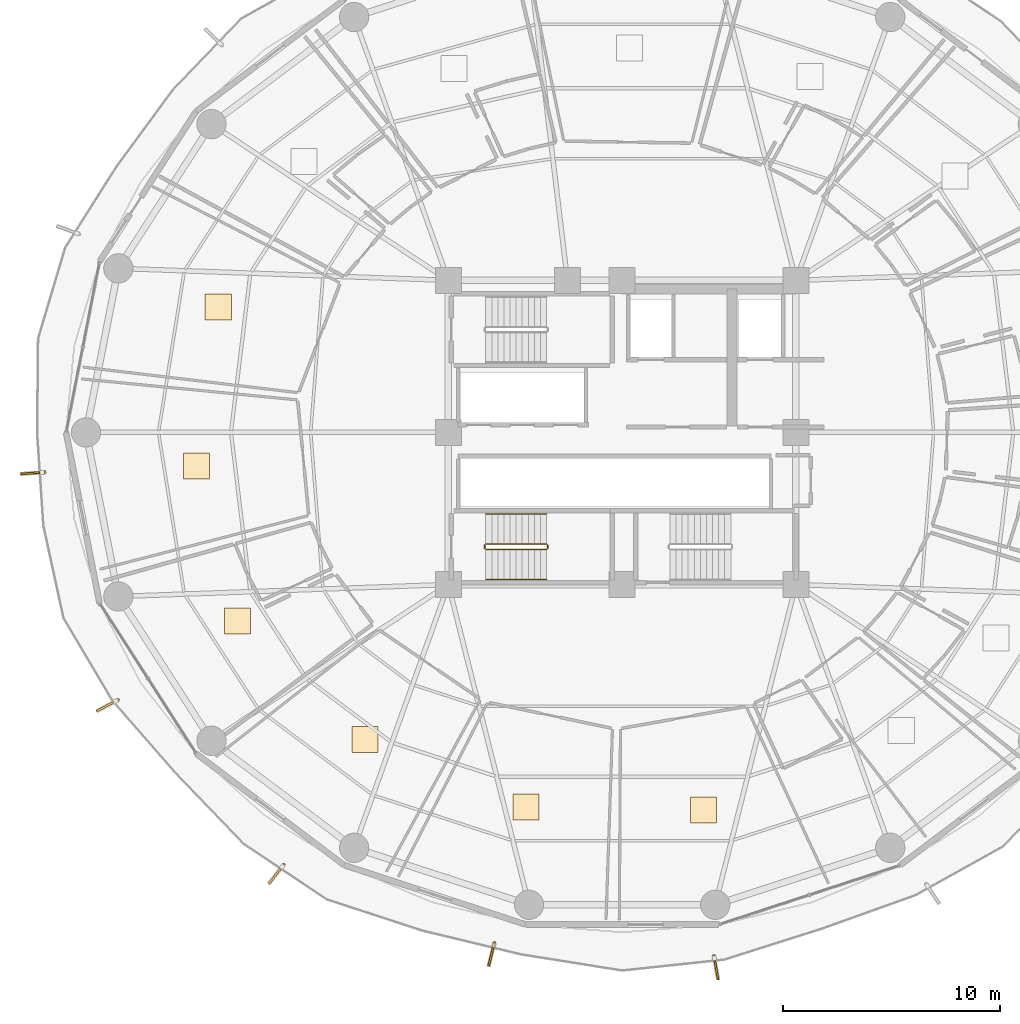
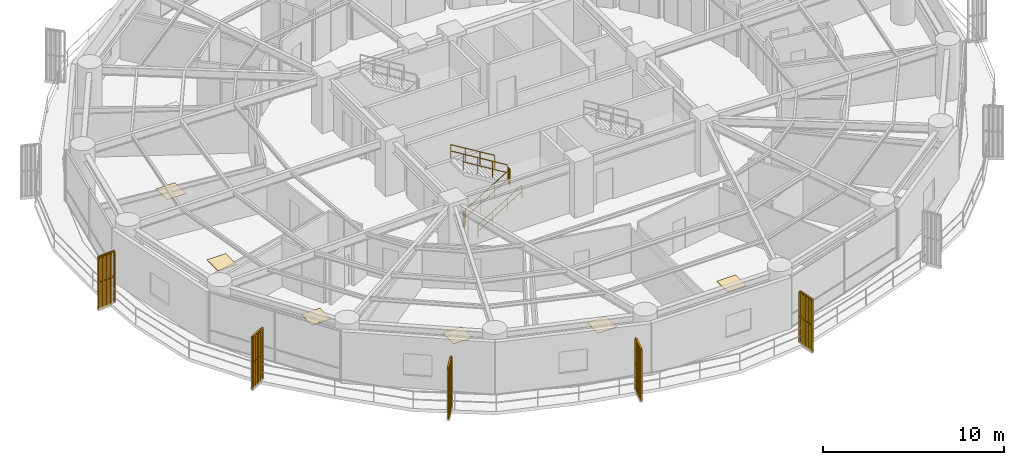
# One storey, part 33 of 36: 11 railings, 6 coverings, 5 shading devices.
"""IFC4 building model written with IfcOpenShell, lengths in metres."""

import ifcopenshell
import ifcopenshell.guid

model = None  # the IFC model being written
_history = None  # IfcOwnerHistory: only IFC2X3 demands one
_inside = {}  # id of a spatial element -> (the spatial element, [elements in it])
_under = {}  # id of a project, library or spatial element -> (it, [spatial elements below it])
_declared = {}  # id of a project -> (the project, [libraries it declares])
_typed = {}  # id of a type object -> (the type object, [elements of that type])
_made_of = {}  # id of a material, layer set ... -> (it, [elements and type objects made of it])


def new_model(schema):
    """Start an empty IFC model of exactly this schema.

    Asked for "IFC4X3", IfcOpenShell would pick the latest addendum, in which some entities
    have other attributes; the version numbers below select the first issue.
    IFC2X3 requires an IfcOwnerHistory on every rooted entity: one is made here for all.
    """
    global model, _history
    if schema == "IFC4X3":
        model = ifcopenshell.file(schema_version=(4, 3, 0, 0))
    else:
        model = ifcopenshell.file(schema=schema)
    _inside.clear()
    _under.clear()
    _declared.clear()
    _typed.clear()
    _made_of.clear()
    _history = None
    if model.schema == "IFC2X3":
        org = make("IfcOrganization", Name="unknown")
        user = make(
            "IfcPersonAndOrganization",
            ThePerson=make("IfcPerson", FamilyName="unknown"),
            TheOrganization=org,
        )
        app = make(
            "IfcApplication",
            ApplicationDeveloper=org,
            Version="unknown",
            ApplicationFullName="unknown",
            ApplicationIdentifier="unknown",
        )
        _history = make(
            "IfcOwnerHistory",
            OwningUser=user,
            OwningApplication=app,
            ChangeAction="ADDED",
            CreationDate=0,
        )
    return model


def make(cls, **values):
    """One entity of the class cls with the attributes given. An attribute that is None is left unset."""
    return model.create_entity(
        cls, **{name: value for name, value in values.items() if value is not None}
    )


def rooted(cls, **values):
    """An entity with a GlobalId (a new one), such as an element, a storey or a relation."""
    return make(cls, GlobalId=ifcopenshell.guid.new(), OwnerHistory=_history, **values)


def si_unit(unit_type, name, prefix=None):
    """IfcSIUnit, for example si_unit("LENGTHUNIT", "METRE", prefix="MILLI")."""
    return make("IfcSIUnit", UnitType=unit_type, Prefix=prefix, Name=name)


def assignment(units):
    """IfcUnitAssignment: the units of a project."""
    return None if units is None else make("IfcUnitAssignment", Units=units)


def point(xyz):
    """IfcCartesianPoint."""
    return None if xyz is None else make("IfcCartesianPoint", Coordinates=xyz)


def direction(xyz):
    """IfcDirection."""
    return None if xyz is None else make("IfcDirection", DirectionRatios=xyz)


def frame(location, z_axis=None, x_axis=None):
    """IfcAxis2Placement3D, a coordinate frame: its origin and axes. An axis left out is left unset."""
    return make(
        "IfcAxis2Placement3D",
        Location=point(location),
        Axis=direction(z_axis),
        RefDirection=direction(x_axis),
    )


def frame_2d(location, x_axis=None):
    """IfcAxis2Placement2D, a coordinate frame in the plane: its origin and x axis."""
    return make(
        "IfcAxis2Placement2D", Location=point(location), RefDirection=direction(x_axis)
    )


def origin():
    """The frame at (0, 0, 0) with its axes left unset."""
    return frame((0.0, 0.0, 0.0))


def origin_2d():
    """The frame at (0, 0) in the plane with its x axis left unset."""
    return frame_2d((0.0, 0.0))


def place(relative_to, where):
    """IfcLocalPlacement: puts the frame where relative to a parent placement (None: the world)."""
    return make(
        "IfcLocalPlacement", PlacementRelTo=relative_to, RelativePlacement=where
    )


def context(
    kind, dimensions, precision=None, world=None, true_north=None, identifier=None
):
    """IfcGeometricRepresentationContext, for example the 3D "Model" context."""
    return make(
        "IfcGeometricRepresentationContext",
        ContextIdentifier=identifier,
        ContextType=kind,
        CoordinateSpaceDimension=dimensions,
        Precision=precision,
        WorldCoordinateSystem=world,
        TrueNorth=true_north,
    )


def subcontext(parent, identifier, kind, view, scale=None):
    """IfcGeometricRepresentationSubContext, for example "Body" below "Model"."""
    return make(
        "IfcGeometricRepresentationSubContext",
        ContextIdentifier=identifier,
        ContextType=kind,
        ParentContext=parent,
        TargetScale=scale,
        TargetView=view,
    )


def project(units=None, contexts=None):
    """IfcProject with its units and contexts."""
    return rooted(
        "IfcProject",
        Name="project",
        RepresentationContexts=contexts,
        UnitsInContext=assignment(units),
    )


def spatial(cls, under=None, at=None, **own):
    """A site, building, storey or space (cls), placed at a placement, below another one or the project."""
    s = rooted(cls, ObjectPlacement=at, **own)
    if under is not None:
        _under.setdefault(under.id(), (under, []))[1].append(s)
    return s


def polyline(points):
    """IfcPolyline through the points."""
    return make("IfcPolyline", Points=[point(p) for p in points])


def profile(cls, at=None, kind="AREA", **sizes):
    """A parametric profile (cls). Its sizes go by their IFC names, for example OverallWidth=200.0."""
    return make(cls, ProfileType=kind, Position=at, **sizes)


def rectangle(**sizes):
    """IfcRectangleProfileDef."""
    return profile("IfcRectangleProfileDef", **sizes)


def outline(outer, holes=None, kind="AREA"):
    """IfcArbitraryClosedProfileDef: a profile drawn as a closed curve; with holes, ...WithVoids."""
    if holes is None:
        return make("IfcArbitraryClosedProfileDef", ProfileType=kind, OuterCurve=outer)
    return make(
        "IfcArbitraryProfileDefWithVoids",
        ProfileType=kind,
        OuterCurve=outer,
        InnerCurves=holes,
    )


def extrude(swept, where, along, depth):
    """IfcExtrudedAreaSolid: the profile swept, set in the frame where, extruded along a direction by depth."""
    return make(
        "IfcExtrudedAreaSolid",
        SweptArea=swept,
        Position=where,
        ExtrudedDirection=direction(along),
        Depth=depth,
    )


def shape(context_of_items, identifier, shape_type, items):
    """IfcShapeRepresentation: the items that make up one representation, for example the "Body"."""
    return make(
        "IfcShapeRepresentation",
        ContextOfItems=context_of_items,
        RepresentationIdentifier=identifier,
        RepresentationType=shape_type,
        Items=items,
    )


def source(mapping_origin, context_of_items, identifier, shape_type, items):
    """IfcRepresentationMap: a shape defined once, which mapped items show again and again."""
    return make(
        "IfcRepresentationMap",
        MappingOrigin=mapping_origin,
        MappedRepresentation=shape(context_of_items, identifier, shape_type, items),
    )


def transform(
    local_origin,
    x_axis=None,
    y_axis=None,
    z_axis=None,
    scale=None,
    scale2=None,
    scale3=None,
    uniform=True,
):
    """IfcCartesianTransformationOperator3D, or its non-uniform kind. x_axis, y_axis, z_axis: its Axis1, 2, 3."""
    if uniform:
        return make(
            "IfcCartesianTransformationOperator3D",
            Axis1=direction(x_axis),
            Axis2=direction(y_axis),
            LocalOrigin=point(local_origin),
            Scale=scale,
            Axis3=direction(z_axis),
        )
    return make(
        "IfcCartesianTransformationOperator3DnonUniform",
        Axis1=direction(x_axis),
        Axis2=direction(y_axis),
        LocalOrigin=point(local_origin),
        Scale=scale,
        Axis3=direction(z_axis),
        Scale2=scale2,
        Scale3=scale3,
    )


def mapped(mapping_source, mapping_target):
    """IfcMappedItem: shows the shape of a source again, moved by a transform."""
    return make(
        "IfcMappedItem", MappingSource=mapping_source, MappingTarget=mapping_target
    )


def material(Name=None, Category=None):
    """IfcMaterial."""
    return make("IfcMaterial", Name=Name, Category=Category)


def layer(
    of_material, thickness, ventilated=None, Name=None, Category=None, Priority=None
):
    """IfcMaterialLayer: one layer of a wall or slab, of a material (None: an air gap)."""
    return make(
        "IfcMaterialLayer",
        Material=of_material,
        LayerThickness=thickness,
        IsVentilated=ventilated,
        Name=Name,
        Category=Category,
        Priority=Priority,
    )


def layer_set(layers, Name=None):
    """IfcMaterialLayerSet."""
    return make("IfcMaterialLayerSet", MaterialLayers=layers, LayerSetName=Name)


def made_of(thing, what):
    """Note that an element or type object is made of a material, layer set ...; save() writes the relation."""
    if what is not None:
        _made_of.setdefault(what.id(), (what, []))[1].append(thing)
    return thing


def type_object(cls, material=None, **own):
    """A type object (cls), such as IfcWallType, which elements share."""
    return made_of(rooted(cls, **own), material)


def element(
    cls,
    number,
    at=None,
    inside=None,
    cuts=None,
    type_object=None,
    material=None,
    context=None,
    identifier="Body",
    shape_type=None,
    held_by="IfcProductDefinitionShape",
    body=None,
    shapes=None,
    **own,
):
    """One element of the class cls, such as IfcWall. Its Tag is "e" and its number.

    at: its placement. inside: the storey or other place that contains it. cuts: it is an
    opening in that element (IfcRelVoidsElement). A single representation is given by context,
    identifier, shape_type and body (its items); several are given by shapes. held_by: the class
    of the entity that holds the representations. save() writes the other relations.
    """
    e = rooted(cls, Tag="e%d" % number, ObjectPlacement=at, **own)
    if body is not None:
        shapes = [shape(context, identifier, shape_type, body)]
    if shapes is not None:
        e.Representation = make(held_by, Representations=shapes)
    if inside is not None:
        _inside.setdefault(inside.id(), (inside, []))[1].append(e)
    if cuts is not None:
        rooted(
            "IfcRelVoidsElement", RelatingBuildingElement=cuts, RelatedOpeningElement=e
        )
    if type_object is not None:
        _typed.setdefault(type_object.id(), (type_object, []))[1].append(e)
    return made_of(e, material)


def aggregate(whole, parts):
    """IfcRelAggregates: a whole, such as a stair, and the parts it consists of."""
    return rooted("IfcRelAggregates", RelatingObject=whole, RelatedObjects=parts)


def save(model, path):
    """Write the relations noted so far, then the file.

    IfcRelAggregates (storeys below a building ...), IfcRelContainedInSpatialStructure (elements
    in a storey), IfcRelDefinesByType, IfcRelAssociatesMaterial and IfcRelDeclares: one each for
    every whole, place, type object, material and project.
    """
    for whole, parts in _under.values():
        aggregate(whole, parts)
    for where, things in _inside.values():
        rooted(
            "IfcRelContainedInSpatialStructure",
            RelatedElements=things,
            RelatingStructure=where,
        )
    for kind, things in _typed.values():
        rooted("IfcRelDefinesByType", RelatedObjects=things, RelatingType=kind)
    for what, things in _made_of.values():
        rooted("IfcRelAssociatesMaterial", RelatedObjects=things, RelatingMaterial=what)
    for by, libraries in _declared.values():
        rooted("IfcRelDeclares", RelatingContext=by, RelatedDefinitions=libraries)
    model.write(path)


model = new_model("IFC4")

# Units and contexts
model_context = context("Model", 3, precision=1e-05, world=origin(), true_north=direction((0.0, 1.0)))
body_context = subcontext(model_context, "Body", "Model", "MODEL_VIEW")
ifc_project = project(units=[si_unit("LENGTHUNIT", "METRE"), si_unit("AREAUNIT", "SQUARE_METRE"), si_unit("VOLUMEUNIT", "CUBIC_METRE"), si_unit("PLANEANGLEUNIT", "RADIAN"), si_unit("MASSUNIT", "GRAM", prefix="KILO")], contexts=[model_context])

# Site, building, storey
site_placement = place(None, origin())
site = spatial("IfcSite", under=ifc_project, at=site_placement, CompositionType="ELEMENT")
building_placement = place(site_placement, origin())
building = spatial("IfcBuilding", under=site, at=building_placement, Name="Kelanora Arch Commons", CompositionType="ELEMENT")
storey_placement = place(building_placement, frame((0.0, 0.0, 102.60009765625)))
storey = spatial("IfcBuildingStorey", under=building, at=storey_placement, Name="L26", CompositionType="ELEMENT", Elevation=102.60009765625)

# Railings
ifc_material_1 = material(Name="Anodised bronze vertical shading fin rib assembly")
railing_type_1 = type_object("IfcRailingType", Name="RAIL-FIN-BRZ", PredefinedType="BALUSTRADE", material=ifc_material_1)
railing_1_placement = place(storey_placement, frame((47.4111328125, 56.166748046875, -0.02001953125)))
element("IfcRailing", 1, at=railing_1_placement, inside=storey, type_object=railing_type_1, Name="Sweeping Bronze Vertical Fin Blade L26-06", PredefinedType="BALUSTRADE", context=body_context, shape_type="SweptSolid", body=[
    extrude(outline(polyline([(0.06982421875, 0.0), (0.034912109375, 0.060546875), (-0.034912109375, 0.060546875), (-0.06982421875, 0.0), (-0.034912109375, -0.060546875), (0.034912109375, -0.060546875), (0.06982421875, 0.0)])), frame((0.0, 0.0, 3.419921875), z_axis=(-0.997642385629, -0.068627038379, 0.0), x_axis=(0.068627038379, -0.997642385629, 0.0)), (0.0, 0.0, 1.0), 1.052978515625),
    extrude(outline(polyline([(0.06982421875, 0.0), (0.034912109375, 0.060546875), (-0.034912109375, 0.060546875), (-0.06982421875, 0.0), (-0.034912109375, -0.060546875), (0.034912109375, -0.060546875), (0.06982421875, 0.0)])), frame((0.0, 0.0, 1.7451171875), z_axis=(-0.997642385629, -0.068627038379, 0.0), x_axis=(0.068627038379, -0.997642385629, 0.0)), (0.0, 0.0, 1.0), 1.052978515625),
    extrude(outline(polyline([(0.080078125, 0.0), (0.0400390625, 0.0693359375), (-0.0400390625, 0.0693359375), (-0.080078125, 0.0), (-0.0400390625, -0.0693359375), (0.0400390625, -0.0693359375), (0.080078125, 0.0)])), origin(), (0.0, 0.0, 1.0), 3.35009765625),
    extrude(outline(polyline([(0.080078125, 0.0), (0.0400390625, 0.0693359375), (-0.0400390625, 0.0693359375), (-0.080078125, 0.0), (-0.0400390625, -0.0693359375), (0.0400390625, -0.0693359375), (0.080078125, 0.0)])), frame((-0.2626953125, -0.01806640625, 0.0)), (0.0, 0.0, 1.0), 3.35009765625),
    extrude(outline(polyline([(0.080078125, 0.0), (0.0400390625, 0.0693359375), (-0.0400390625, 0.0693359375), (-0.080078125, 0.0), (-0.0400390625, -0.0693359375), (0.0400390625, -0.0693359375), (0.080078125, 0.0)])), frame((-0.525390625, -0.0361328125, 0.0)), (0.0, 0.0, 1.0), 3.35009765625),
    extrude(outline(polyline([(0.080078125, 0.0), (0.0400390625, 0.0693359375), (-0.0400390625, 0.0693359375), (-0.080078125, 0.0), (-0.0400390625, -0.0693359375), (0.0400390625, -0.0693359375), (0.080078125, 0.0)])), frame((-0.787841796875, -0.05419921875, 0.0)), (0.0, 0.0, 1.0), 3.35009765625),
    extrude(outline(polyline([(0.080078125, 0.0), (0.0400390625, 0.0693359375), (-0.0400390625, 0.0693359375), (-0.080078125, 0.0), (-0.0400390625, -0.0693359375), (0.0400390625, -0.0693359375), (0.080078125, 0.0)])), frame((-1.050537109375, -0.072265625, 0.0)), (0.0, 0.0, 1.0), 3.35009765625),
])
railing_2_placement = place(storey_placement, frame((50.788818359375, 45.6875, -0.02001953125)))
element("IfcRailing", 2, at=railing_2_placement, inside=storey, type_object=railing_type_1, Name="Sweeping Bronze Vertical Fin Blade L26-07", PredefinedType="BALUSTRADE", context=body_context, shape_type="SweptSolid", body=[
    extrude(outline(polyline([(0.06982421875, 0.0), (0.034912109375, 0.060546875), (-0.034912109375, 0.060546875), (-0.06982421875, 0.0), (-0.034912109375, -0.060546875), (0.034912109375, -0.060546875), (0.06982421875, 0.0)])), frame((0.0, 0.0, 3.419921875), z_axis=(-0.883364689044, -0.468686276895, 0.0), x_axis=(0.468686276895, -0.883364689044, 0.0)), (0.0, 0.0, 1.0), 1.05322265625),
    extrude(outline(polyline([(0.06982421875, 0.0), (0.034912109375, 0.060546875), (-0.034912109375, 0.060546875), (-0.06982421875, 0.0), (-0.034912109375, -0.060546875), (0.034912109375, -0.060546875), (0.06982421875, 0.0)])), frame((0.0, 0.0, 1.7451171875), z_axis=(-0.883364689044, -0.468686276895, 0.0), x_axis=(0.468686276895, -0.883364689044, 0.0)), (0.0, 0.0, 1.0), 1.05322265625),
    extrude(outline(polyline([(0.080078125, 0.0), (0.0400390625, 0.0693359375), (-0.0400390625, 0.0693359375), (-0.080078125, 0.0), (-0.0400390625, -0.0693359375), (0.0400390625, -0.0693359375), (0.080078125, 0.0)])), origin(), (0.0, 0.0, 1.0), 3.35009765625),
    extrude(outline(polyline([(0.080078125, 0.0), (0.0400390625, 0.0693359375), (-0.0400390625, 0.0693359375), (-0.080078125, 0.0), (-0.0400390625, -0.0693359375), (0.0400390625, -0.0693359375), (0.080078125, 0.0)])), frame((-0.232666015625, -0.12353515625, 0.0)), (0.0, 0.0, 1.0), 3.35009765625),
    extrude(outline(polyline([(0.080078125, 0.0), (0.0400390625, 0.0693359375), (-0.0400390625, 0.0693359375), (-0.080078125, 0.0), (-0.0400390625, -0.0693359375), (0.0400390625, -0.0693359375), (0.080078125, 0.0)])), frame((-0.46533203125, -0.246826171875, 0.0)), (0.0, 0.0, 1.0), 3.35009765625),
    extrude(outline(polyline([(0.080078125, 0.0), (0.0400390625, 0.0693359375), (-0.0400390625, 0.0693359375), (-0.080078125, 0.0), (-0.0400390625, -0.0693359375), (0.0400390625, -0.0693359375), (0.080078125, 0.0)])), frame((-0.69775390625, -0.3701171875, 0.0)), (0.0, 0.0, 1.0), 3.35009765625),
    extrude(outline(polyline([(0.080078125, 0.0), (0.0400390625, 0.0693359375), (-0.0400390625, 0.0693359375), (-0.080078125, 0.0), (-0.0400390625, -0.0693359375), (0.0400390625, -0.0693359375), (0.080078125, 0.0)])), frame((-0.930419921875, -0.49365234375, 0.0)), (0.0, 0.0, 1.0), 3.35009765625),
])
railing_3_placement = place(storey_placement, frame((58.41845703125, 38.0966796875, -0.02001953125)))
element("IfcRailing", 3, at=railing_3_placement, inside=storey, type_object=railing_type_1, Name="Sweeping Bronze Vertical Fin Blade L26-08", PredefinedType="BALUSTRADE", context=body_context, shape_type="SweptSolid", body=[
    extrude(outline(polyline([(0.06982421875, 0.0), (0.034912109375, 0.060546875), (-0.034912109375, 0.060546875), (-0.06982421875, 0.0), (-0.034912109375, -0.060546875), (0.034912109375, -0.060546875), (0.06982421875, 0.0)])), frame((0.0, 0.0, 3.419921875), z_axis=(-0.616489539638, -0.787363097635, 0.0), x_axis=(0.787363097635, -0.616489539638, 0.0)), (0.0, 0.0, 1.0), 1.052978515625),
    extrude(outline(polyline([(0.06982421875, 0.0), (0.034912109375, 0.060546875), (-0.034912109375, 0.060546875), (-0.06982421875, 0.0), (-0.034912109375, -0.060546875), (0.034912109375, -0.060546875), (0.06982421875, 0.0)])), frame((0.0, 0.0, 1.7451171875), z_axis=(-0.616489539638, -0.787363097635, 0.0), x_axis=(0.787363097635, -0.616489539638, 0.0)), (0.0, 0.0, 1.0), 1.052978515625),
    extrude(outline(polyline([(0.080078125, 0.0), (0.0400390625, 0.0693359375), (-0.0400390625, 0.0693359375), (-0.080078125, 0.0), (-0.0400390625, -0.0693359375), (0.0400390625, -0.0693359375), (0.080078125, 0.0)])), origin(), (0.0, 0.0, 1.0), 3.35009765625),
    extrude(outline(polyline([(0.080078125, 0.0), (0.0400390625, 0.0693359375), (-0.0400390625, 0.0693359375), (-0.080078125, 0.0), (-0.0400390625, -0.0693359375), (0.0400390625, -0.0693359375), (0.080078125, 0.0)])), frame((-0.162353515625, -0.207275390625, 0.0)), (0.0, 0.0, 1.0), 3.35009765625),
    extrude(outline(polyline([(0.080078125, 0.0), (0.0400390625, 0.0693359375), (-0.0400390625, 0.0693359375), (-0.080078125, 0.0), (-0.0400390625, -0.0693359375), (0.0400390625, -0.0693359375), (0.080078125, 0.0)])), frame((-0.32470703125, -0.41455078125, 0.0)), (0.0, 0.0, 1.0), 3.35009765625),
    extrude(outline(polyline([(0.080078125, 0.0), (0.0400390625, 0.0693359375), (-0.0400390625, 0.0693359375), (-0.080078125, 0.0), (-0.0400390625, -0.0693359375), (0.0400390625, -0.0693359375), (0.080078125, 0.0)])), frame((-0.48681640625, -0.621826171875, 0.0)), (0.0, 0.0, 1.0), 3.35009765625),
    extrude(outline(polyline([(0.080078125, 0.0), (0.0400390625, 0.0693359375), (-0.0400390625, 0.0693359375), (-0.080078125, 0.0), (-0.0400390625, -0.0693359375), (0.0400390625, -0.0693359375), (0.080078125, 0.0)])), frame((-0.649169921875, -0.8291015625, 0.0)), (0.0, 0.0, 1.0), 3.35009765625),
])
railing_4_placement = place(storey_placement, frame((68.1162109375, 34.499267578125, -0.02001953125)))
element("IfcRailing", 4, at=railing_4_placement, inside=storey, type_object=railing_type_1, Name="Sweeping Bronze Vertical Fin Blade L26-09", PredefinedType="BALUSTRADE", context=body_context, shape_type="SweptSolid", body=[
    extrude(outline(polyline([(0.06982421875, 0.0), (0.034912109375, 0.060546875), (-0.034912109375, 0.060546875), (-0.06982421875, 0.0), (-0.034912109375, -0.060546875), (0.034912109375, -0.060546875), (0.06982421875, 0.0)])), frame((0.0, 0.0, 3.419921875), z_axis=(-0.242972011834, -0.970033299153, 0.0), x_axis=(0.970033299153, -0.242972011834, 0.0)), (0.0, 0.0, 1.0), 1.052978515625),
    extrude(outline(polyline([(0.06982421875, 0.0), (0.034912109375, 0.060546875), (-0.034912109375, 0.060546875), (-0.06982421875, 0.0), (-0.034912109375, -0.060546875), (0.034912109375, -0.060546875), (0.06982421875, 0.0)])), frame((0.0, 0.0, 1.7451171875), z_axis=(-0.242972011834, -0.970033299153, 0.0), x_axis=(0.970033299153, -0.242972011834, 0.0)), (0.0, 0.0, 1.0), 1.052978515625),
    extrude(outline(polyline([(0.080078125, 0.0), (0.0400390625, 0.0693359375), (-0.0400390625, 0.0693359375), (-0.080078125, 0.0), (-0.0400390625, -0.0693359375), (0.0400390625, -0.0693359375), (0.080078125, 0.0)])), origin(), (0.0, 0.0, 1.0), 3.35009765625),
    extrude(outline(polyline([(0.080078125, 0.0), (0.0400390625, 0.0693359375), (-0.0400390625, 0.0693359375), (-0.080078125, 0.0), (-0.0400390625, -0.0693359375), (0.0400390625, -0.0693359375), (0.080078125, 0.0)])), frame((-0.06396484375, -0.25537109375, 0.0)), (0.0, 0.0, 1.0), 3.35009765625),
    extrude(outline(polyline([(0.080078125, 0.0), (0.0400390625, 0.0693359375), (-0.0400390625, 0.0693359375), (-0.080078125, 0.0), (-0.0400390625, -0.0693359375), (0.0400390625, -0.0693359375), (0.080078125, 0.0)])), frame((-0.1279296875, -0.5107421875, 0.0)), (0.0, 0.0, 1.0), 3.35009765625),
    extrude(outline(polyline([(0.080078125, 0.0), (0.0400390625, 0.0693359375), (-0.0400390625, 0.0693359375), (-0.080078125, 0.0), (-0.0400390625, -0.0693359375), (0.0400390625, -0.0693359375), (0.080078125, 0.0)])), frame((-0.19189453125, -0.76611328125, 0.0)), (0.0, 0.0, 1.0), 3.35009765625),
    extrude(outline(polyline([(0.080078125, 0.0), (0.0400390625, 0.0693359375), (-0.0400390625, 0.0693359375), (-0.080078125, 0.0), (-0.0400390625, -0.0693359375), (0.0400390625, -0.0693359375), (0.080078125, 0.0)])), frame((-0.255859375, -1.021484375, 0.0)), (0.0, 0.0, 1.0), 3.35009765625),
])
railing_5_placement = place(storey_placement, frame((78.22412109375, 33.905517578125, -0.02001953125)))
element("IfcRailing", 5, at=railing_5_placement, inside=storey, type_object=railing_type_1, Name="Sweeping Bronze Vertical Fin Blade L26-10", PredefinedType="BALUSTRADE", context=body_context, shape_type="SweptSolid", body=[
    extrude(outline(polyline([(0.06982421875, 0.0), (0.034912109375, 0.060546875), (-0.034912109375, 0.060546875), (-0.06982421875, 0.0), (-0.034912109375, -0.060546875), (0.034912109375, -0.060546875), (0.06982421875, 0.0)])), frame((0.0, 0.0, 3.419921875), z_axis=(0.172700840587, -0.984974324366, 0.0), x_axis=(0.984974324366, 0.172700840587, 0.0)), (0.0, 0.0, 1.0), 1.05322265625),
    extrude(outline(polyline([(0.06982421875, 0.0), (0.034912109375, 0.060546875), (-0.034912109375, 0.060546875), (-0.06982421875, 0.0), (-0.034912109375, -0.060546875), (0.034912109375, -0.060546875), (0.06982421875, 0.0)])), frame((0.0, 0.0, 1.7451171875), z_axis=(0.172700840587, -0.984974324366, 0.0), x_axis=(0.984974324366, 0.172700840587, 0.0)), (0.0, 0.0, 1.0), 1.05322265625),
    extrude(outline(polyline([(0.080078125, 0.0), (0.0400390625, 0.0693359375), (-0.0400390625, 0.0693359375), (-0.080078125, 0.0), (-0.0400390625, -0.0693359375), (0.0400390625, -0.0693359375), (0.080078125, 0.0)])), origin(), (0.0, 0.0, 1.0), 3.35009765625),
    extrude(outline(polyline([(0.080078125, 0.0), (0.0400390625, 0.0693359375), (-0.0400390625, 0.0693359375), (-0.080078125, 0.0), (-0.0400390625, -0.0693359375), (0.0400390625, -0.0693359375), (0.080078125, 0.0)])), frame((0.04541015625, -0.25927734375, 0.0)), (0.0, 0.0, 1.0), 3.35009765625),
    extrude(outline(polyline([(0.080078125, 0.0), (0.0400390625, 0.0693359375), (-0.0400390625, 0.0693359375), (-0.080078125, 0.0), (-0.0400390625, -0.0693359375), (0.0400390625, -0.0693359375), (0.080078125, 0.0)])), frame((0.0908203125, -0.5185546875, 0.0)), (0.0, 0.0, 1.0), 3.35009765625),
    extrude(outline(polyline([(0.080078125, 0.0), (0.0400390625, 0.0693359375), (-0.0400390625, 0.0693359375), (-0.080078125, 0.0), (-0.0400390625, -0.0693359375), (0.0400390625, -0.0693359375), (0.080078125, 0.0)])), frame((0.136474609375, -0.778076171875, 0.0)), (0.0, 0.0, 1.0), 3.35009765625),
    extrude(outline(polyline([(0.080078125, 0.0), (0.0400390625, 0.0693359375), (-0.0400390625, 0.0693359375), (-0.080078125, 0.0), (-0.0400390625, -0.0693359375), (0.0400390625, -0.0693359375), (0.080078125, 0.0)])), frame((0.181884765625, -1.037353515625, 0.0)), (0.0, 0.0, 1.0), 3.35009765625),
])
ifc_material_2 = material(Name="Painted steel stair well guard", Category="steel")
railing_type_2 = type_object("IfcRailingType", Name="RAIL-STAIR-GRD", PredefinedType="GUARDRAIL", material=ifc_material_2)
railing_6_placement = place(storey_placement, frame((67.719970703125, 52.610107421875, 0.17041015625)))
element("IfcRailing", 6, at=railing_6_placement, inside=storey, type_object=railing_type_2, Name="L26 ST-T3 stair guard 1", PredefinedType="GUARDRAIL", context=body_context, shape_type="SweptSolid", body=[
    extrude(outline(polyline([(0.02392578125, 0.0), (0.011962890625, 0.020751953125), (-0.011962890625, 0.020751953125), (-0.02392578125, 0.0), (-0.011962890625, -0.020751953125), (0.011962890625, -0.020751953125), (0.02392578125, 0.0)])), frame((0.0, 0.0, 1.076171875), z_axis=(0.854169791009, 0.0, 0.51999420009), x_axis=(0.0, 1.0, 0.0)), (0.0, 0.0, 1.0), 3.278076171875),
    extrude(outline(polyline([(0.02392578125, 0.0), (0.011962890625, 0.020751953125), (-0.011962890625, 0.020751953125), (-0.02392578125, 0.0), (-0.011962890625, -0.020751953125), (0.011962890625, -0.020751953125), (0.02392578125, 0.0)])), frame((0.0, 0.0, 0.550048828125), z_axis=(0.854169791009, 0.0, 0.51999420009), x_axis=(0.0, 1.0, 0.0)), (0.0, 0.0, 1.0), 3.278076171875),
    extrude(outline(polyline([(0.02099609375, 0.0), (0.010498046875, 0.01806640625), (-0.010498046875, 0.01806640625), (-0.02099609375, 0.0), (-0.010498046875, -0.01806640625), (0.010498046875, -0.01806640625), (0.02099609375, 0.0)])), origin(), (0.0, 0.0, 1.0), 1.052001953125),
    extrude(outline(polyline([(0.02099609375, 0.0), (0.010498046875, 0.01806640625), (-0.010498046875, 0.01806640625), (-0.02099609375, 0.0), (-0.010498046875, -0.01806640625), (0.010498046875, -0.01806640625), (0.02099609375, 0.0)])), frame((0.933349609375, 0.0, 0.568115234375)), (0.0, 0.0, 1.0), 1.052001953125),
    extrude(outline(polyline([(0.02099609375, 0.0), (0.010498046875, 0.01806640625), (-0.010498046875, 0.01806640625), (-0.02099609375, 0.0), (-0.010498046875, -0.01806640625), (0.010498046875, -0.01806640625), (0.02099609375, 0.0)])), frame((1.86669921875, 0.0, 1.136474609375)), (0.0, 0.0, 1.0), 1.052001953125),
    extrude(outline(polyline([(0.02099609375, 0.0), (0.010498046875, 0.01806640625), (-0.010498046875, 0.01806640625), (-0.02099609375, 0.0), (-0.010498046875, -0.01806640625), (0.010498046875, -0.01806640625), (0.02099609375, 0.0)])), frame((2.800048828125, 0.0, 1.70458984375)), (0.0, 0.0, 1.0), 1.052001953125),
])
railing_7_placement = place(storey_placement, frame((70.570068359375, 52.659912109375, 1.875)))
element("IfcRailing", 7, at=railing_7_placement, inside=storey, type_object=railing_type_2, Name="L26 ST-T3 stair guard 2", PredefinedType="GUARDRAIL", context=body_context, shape_type="SweptSolid", body=[
    extrude(outline(polyline([(0.02392578125, 0.0), (0.011962890625, 0.020751953125), (-0.011962890625, 0.020751953125), (-0.02392578125, 0.0), (-0.011962890625, -0.020751953125), (0.011962890625, -0.020751953125), (0.02392578125, 0.0)])), frame((0.0, 0.0, 1.076171875), z_axis=(0.0, 1.0, 0.0), x_axis=(-1.0, 0.0, 0.0)), (0.0, 0.0, 1.0), 0.150146484375),
    extrude(outline(polyline([(0.02392578125, 0.0), (0.011962890625, 0.020751953125), (-0.011962890625, 0.020751953125), (-0.02392578125, 0.0), (-0.011962890625, -0.020751953125), (0.011962890625, -0.020751953125), (0.02392578125, 0.0)])), frame((0.0, 0.0, 0.550048828125), z_axis=(0.0, 1.0, 0.0), x_axis=(-1.0, 0.0, 0.0)), (0.0, 0.0, 1.0), 0.150146484375),
    extrude(outline(polyline([(0.02099609375, 0.0), (0.010498046875, 0.01806640625), (-0.010498046875, 0.01806640625), (-0.02099609375, 0.0), (-0.010498046875, -0.01806640625), (0.010498046875, -0.01806640625), (0.02099609375, 0.0)])), origin(), (0.0, 0.0, 1.0), 1.052001953125),
    extrude(outline(polyline([(0.02099609375, 0.0), (0.010498046875, 0.01806640625), (-0.010498046875, 0.01806640625), (-0.02099609375, 0.0), (-0.010498046875, -0.01806640625), (0.010498046875, -0.01806640625), (0.02099609375, 0.0)])), frame((0.0, 0.150146484375, 0.0)), (0.0, 0.0, 1.0), 1.052001953125),
])
railing_8_placement = place(storey_placement, frame((70.52001953125, 52.860107421875, 2.04541015625)))
element("IfcRailing", 8, at=railing_8_placement, inside=storey, type_object=railing_type_2, Name="L26 ST-T3 stair guard 3", PredefinedType="GUARDRAIL", context=body_context, shape_type="SweptSolid", body=[
    extrude(outline(polyline([(0.02392578125, 0.0), (0.011962890625, 0.020751953125), (-0.011962890625, 0.020751953125), (-0.02392578125, 0.0), (-0.011962890625, -0.020751953125), (0.011962890625, -0.020751953125), (0.02392578125, 0.0)])), frame((0.0, 0.0, 1.076171875), z_axis=(-0.854169791009, 0.0, 0.51999420009), x_axis=(0.0, -1.0, 0.0)), (0.0, 0.0, 1.0), 3.278076171875),
    extrude(outline(polyline([(0.02392578125, 0.0), (0.011962890625, 0.020751953125), (-0.011962890625, 0.020751953125), (-0.02392578125, 0.0), (-0.011962890625, -0.020751953125), (0.011962890625, -0.020751953125), (0.02392578125, 0.0)])), frame((0.0, 0.0, 0.550048828125), z_axis=(-0.854169791009, 0.0, 0.51999420009), x_axis=(0.0, -1.0, 0.0)), (0.0, 0.0, 1.0), 3.278076171875),
    extrude(outline(polyline([(0.02099609375, 0.0), (0.010498046875, 0.01806640625), (-0.010498046875, 0.01806640625), (-0.02099609375, 0.0), (-0.010498046875, -0.01806640625), (0.010498046875, -0.01806640625), (0.02099609375, 0.0)])), origin(), (0.0, 0.0, 1.0), 1.052001953125),
    extrude(outline(polyline([(0.02099609375, 0.0), (0.010498046875, 0.01806640625), (-0.010498046875, 0.01806640625), (-0.02099609375, 0.0), (-0.010498046875, -0.01806640625), (0.010498046875, -0.01806640625), (0.02099609375, 0.0)])), frame((-0.933349609375, 0.0, 0.568115234375)), (0.0, 0.0, 1.0), 1.052001953125),
    extrude(outline(polyline([(0.02099609375, 0.0), (0.010498046875, 0.01806640625), (-0.010498046875, 0.01806640625), (-0.02099609375, 0.0), (-0.010498046875, -0.01806640625), (0.010498046875, -0.01806640625), (0.02099609375, 0.0)])), frame((-1.86669921875, 0.0, 1.136474609375)), (0.0, 0.0, 1.0), 1.052001953125),
    extrude(outline(polyline([(0.02099609375, 0.0), (0.010498046875, 0.01806640625), (-0.010498046875, 0.01806640625), (-0.02099609375, 0.0), (-0.010498046875, -0.01806640625), (0.010498046875, -0.01806640625), (0.02099609375, 0.0)])), frame((-2.800048828125, 0.0, 1.70458984375)), (0.0, 0.0, 1.0), 1.052001953125),
])
railing_9_placement = place(storey_placement, frame((67.669921875, 52.659912109375, 0.0)))
element("IfcRailing", 9, at=railing_9_placement, inside=storey, type_object=railing_type_2, Name="L26 ST-T3 stair guard 4", PredefinedType="GUARDRAIL", context=body_context, shape_type="SweptSolid", body=[
    extrude(outline(polyline([(0.02392578125, 0.0), (0.011962890625, 0.020751953125), (-0.011962890625, 0.020751953125), (-0.02392578125, 0.0), (-0.011962890625, -0.020751953125), (0.011962890625, -0.020751953125), (0.02392578125, 0.0)])), frame((0.0, 0.0, 1.076171875), z_axis=(0.0, 1.0, 0.0), x_axis=(-1.0, 0.0, 0.0)), (0.0, 0.0, 1.0), 0.150146484375),
    extrude(outline(polyline([(0.02392578125, 0.0), (0.011962890625, 0.020751953125), (-0.011962890625, 0.020751953125), (-0.02392578125, 0.0), (-0.011962890625, -0.020751953125), (0.011962890625, -0.020751953125), (0.02392578125, 0.0)])), frame((0.0, 0.0, 0.550048828125), z_axis=(0.0, 1.0, 0.0), x_axis=(-1.0, 0.0, 0.0)), (0.0, 0.0, 1.0), 0.150146484375),
    extrude(outline(polyline([(0.02099609375, 0.0), (0.010498046875, 0.01806640625), (-0.010498046875, 0.01806640625), (-0.02099609375, 0.0), (-0.010498046875, -0.01806640625), (0.010498046875, -0.01806640625), (0.02099609375, 0.0)])), origin(), (0.0, 0.0, 1.0), 1.052001953125),
    extrude(outline(polyline([(0.02099609375, 0.0), (0.010498046875, 0.01806640625), (-0.010498046875, 0.01806640625), (-0.02099609375, 0.0), (-0.010498046875, -0.01806640625), (0.010498046875, -0.01806640625), (0.02099609375, 0.0)])), frame((0.0, 0.150146484375, 0.0)), (0.0, 0.0, 1.0), 1.052001953125),
])
ifc_material_3 = material(Name="Brushed stainless steel stair handrail", Category="steel")
railing_type_3 = type_object("IfcRailingType", Name="RAIL-STAIR-HND", PredefinedType="HANDRAIL", material=ifc_material_3)
railing_10_placement = place(storey_placement, frame((67.719970703125, 51.22998046875, 0.17041015625)))
element("IfcRailing", 10, at=railing_10_placement, inside=storey, type_object=railing_type_3, Name="L26 ST-T3 stair handrail 1", PredefinedType="HANDRAIL", context=body_context, shape_type="SweptSolid", body=[
    extrude(outline(polyline([(0.02392578125, 0.0), (0.011962890625, 0.020751953125), (-0.011962890625, 0.020751953125), (-0.02392578125, 0.0), (-0.011962890625, -0.020751953125), (0.011962890625, -0.020751953125), (0.02392578125, 0.0)])), frame((0.0, 0.0, 0.8759765625), z_axis=(0.854169791009, 0.0, 0.51999420009), x_axis=(0.0, 1.0, 0.0)), (0.0, 0.0, 1.0), 3.278076171875),
    extrude(outline(polyline([(0.02392578125, 0.0), (0.011962890625, 0.020751953125), (-0.011962890625, 0.020751953125), (-0.02392578125, 0.0), (-0.011962890625, -0.020751953125), (0.011962890625, -0.020751953125), (0.02392578125, 0.0)])), frame((0.0, 0.0, 0.449951171875), z_axis=(0.854169791009, 0.0, 0.51999420009), x_axis=(0.0, 1.0, 0.0)), (0.0, 0.0, 1.0), 3.278076171875),
    extrude(outline(polyline([(0.02099609375, 0.0), (0.010498046875, 0.01806640625), (-0.010498046875, 0.01806640625), (-0.02099609375, 0.0), (-0.010498046875, -0.01806640625), (0.010498046875, -0.01806640625), (0.02099609375, 0.0)])), origin(), (0.0, 0.0, 1.0), 0.851806640625),
    extrude(outline(polyline([(0.02099609375, 0.0), (0.010498046875, 0.01806640625), (-0.010498046875, 0.01806640625), (-0.02099609375, 0.0), (-0.010498046875, -0.01806640625), (0.010498046875, -0.01806640625), (0.02099609375, 0.0)])), frame((0.933349609375, 0.0, 0.568115234375)), (0.0, 0.0, 1.0), 0.851806640625),
    extrude(outline(polyline([(0.02099609375, 0.0), (0.010498046875, 0.01806640625), (-0.010498046875, 0.01806640625), (-0.02099609375, 0.0), (-0.010498046875, -0.01806640625), (0.010498046875, -0.01806640625), (0.02099609375, 0.0)])), frame((1.86669921875, 0.0, 1.136474609375)), (0.0, 0.0, 1.0), 0.851806640625),
    extrude(outline(polyline([(0.02099609375, 0.0), (0.010498046875, 0.01806640625), (-0.010498046875, 0.01806640625), (-0.02099609375, 0.0), (-0.010498046875, -0.01806640625), (0.010498046875, -0.01806640625), (0.02099609375, 0.0)])), frame((2.800048828125, 0.0, 1.70458984375)), (0.0, 0.0, 1.0), 0.851806640625),
])
railing_11_placement = place(storey_placement, frame((70.52001953125, 54.239990234375, 2.04541015625)))
element("IfcRailing", 11, at=railing_11_placement, inside=storey, type_object=railing_type_3, Name="L26 ST-T3 stair handrail 2", PredefinedType="HANDRAIL", context=body_context, shape_type="SweptSolid", body=[
    extrude(outline(polyline([(0.02392578125, 0.0), (0.011962890625, 0.020751953125), (-0.011962890625, 0.020751953125), (-0.02392578125, 0.0), (-0.011962890625, -0.020751953125), (0.011962890625, -0.020751953125), (0.02392578125, 0.0)])), frame((0.0, 0.0, 0.8759765625), z_axis=(-0.854169791009, 0.0, 0.51999420009), x_axis=(0.0, -1.0, 0.0)), (0.0, 0.0, 1.0), 3.278076171875),
    extrude(outline(polyline([(0.02392578125, 0.0), (0.011962890625, 0.020751953125), (-0.011962890625, 0.020751953125), (-0.02392578125, 0.0), (-0.011962890625, -0.020751953125), (0.011962890625, -0.020751953125), (0.02392578125, 0.0)])), frame((0.0, 0.0, 0.449951171875), z_axis=(-0.854169791009, 0.0, 0.51999420009), x_axis=(0.0, -1.0, 0.0)), (0.0, 0.0, 1.0), 3.278076171875),
    extrude(outline(polyline([(0.02099609375, 0.0), (0.010498046875, 0.01806640625), (-0.010498046875, 0.01806640625), (-0.02099609375, 0.0), (-0.010498046875, -0.01806640625), (0.010498046875, -0.01806640625), (0.02099609375, 0.0)])), origin(), (0.0, 0.0, 1.0), 0.851806640625),
    extrude(outline(polyline([(0.02099609375, 0.0), (0.010498046875, 0.01806640625), (-0.010498046875, 0.01806640625), (-0.02099609375, 0.0), (-0.010498046875, -0.01806640625), (0.010498046875, -0.01806640625), (0.02099609375, 0.0)])), frame((-0.933349609375, 0.0, 0.568115234375)), (0.0, 0.0, 1.0), 0.851806640625),
    extrude(outline(polyline([(0.02099609375, 0.0), (0.010498046875, 0.01806640625), (-0.010498046875, 0.01806640625), (-0.02099609375, 0.0), (-0.010498046875, -0.01806640625), (0.010498046875, -0.01806640625), (0.02099609375, 0.0)])), frame((-1.86669921875, 0.0, 1.136474609375)), (0.0, 0.0, 1.0), 0.851806640625),
    extrude(outline(polyline([(0.02099609375, 0.0), (0.010498046875, 0.01806640625), (-0.010498046875, 0.01806640625), (-0.02099609375, 0.0), (-0.010498046875, -0.01806640625), (0.010498046875, -0.01806640625), (0.02099609375, 0.0)])), frame((-2.800048828125, 0.0, 1.70458984375)), (0.0, 0.0, 1.0), 0.851806640625),
])

# Shading devices
ifc_material_4 = material(Name="Terracotta ceramic-clad extruded aluminium fin", Category="masonry")
shading_device_type = type_object("IfcShadingDeviceType", Name="SHD-FIN-FLARE", PredefinedType="USERDEFINED", material=ifc_material_4)
shared_shape_1 = source(origin(), body_context, "Body", "SweptSolid", [
    extrude(rectangle(XDim=0.8798828125, YDim=0.090087890625, at=origin_2d()), origin(), (0.0, 0.0, 1.0), 3.610107421875),
])
for number, where, z_axis, x_axis, name in (
    (12, (46.74609375, 56.12109375, -0.14013671875), (0.0, 0.0, 1.0), (-0.997636552079, -0.068711789056, 0.0), "Sweeping Terracotta Fin L26-06"),
    (13, (50.19970703125, 45.375, -0.14013671875), (0.0, 0.0, 1.0), (-0.88343873811, -0.468546684981, 0.0), "Sweeping Terracotta Fin L26-07"),
    (14, (58.0078125, 37.572021484375, -0.14013671875), (0.0, 0.0, 1.0), (-0.616486340532, -0.78736560246, 0.0), "Sweeping Terracotta Fin L26-08"),
    (15, (67.954345703125, 33.852783203125, -0.14013671875), (0.0, 0.0, 1.0), (-0.242937854074, -0.970041854282, 0.0), "Sweeping Terracotta Fin L26-09"),
    (16, (78.33935546875, 33.2490234375, -0.14013671875), (0.0, 0.0, 1.0), (0.172616794375, -0.984989056944, 0.0), "Sweeping Terracotta Fin L26-10"),
):
    element("IfcShadingDevice", number, at=place(storey_placement, frame(where, z_axis=z_axis, x_axis=x_axis)), inside=storey, type_object=shading_device_type, Name=name, ObjectType="FIN", PredefinedType="USERDEFINED", context=body_context, shape_type="MappedRepresentation", body=[
        mapped(shared_shape_1, transform((0.0, 0.0, 0.0), scale=1.0)),
    ])

# Coverings
ifc_material_5 = material(Name="Polished local granite terrazzo flooring", Category="masonry")
ifc_layer = layer(ifc_material_5, 0.030029296875)
ifc_layer_set = layer_set([ifc_layer], Name="Polished local granite terrazzo flooring")
covering_type = type_object("IfcCoveringType", Name="COV-FLR-TER", PredefinedType="FLOORING", material=ifc_layer_set)
shared_shape_2 = source(origin(), body_context, "Body", "SweptSolid", [
    extrude(rectangle(XDim=1.199951171875, YDim=1.199951171875, at=origin_2d()), origin(), (0.0, 0.0, 1.0), 0.030029296875),
])
for number, where, z_axis, x_axis, name in (
    (17, (55.4052734375, 63.76416015625, 0.0), (0.0, 0.0, 1.0), (1.0, 0.0, 0.0), "Social Sky Lounge L26-07 Terrazzo Finish"),
    (18, (54.408447265625, 56.457275390625, 0.0), (0.0, 0.0, 1.0), (1.0, 0.0, 0.0), "Quiet Seminar Study Room L26-08 Terrazzo Finish"),
    (19, (56.290771484375, 49.31494140625, 0.0), (0.0, 0.0, 1.0), (1.0, 0.0, 0.0), "Co-Living Studio L26-09 Terrazzo Finish"),
    (20, (62.16455078125, 43.8603515625, 0.0), (0.0, 0.0, 1.0), (1.0, 0.0, 0.0), "Communal Dining and Social Hall L26-10 Terrazzo Finish"),
    (21, (69.575927734375, 40.7490234375, 0.0), (0.0, 0.0, 1.0), (1.0, 0.0, 0.0), "Quiet Seminar Study Room L26-11 Terrazzo Finish"),
    (22, (77.75244140625, 40.6201171875, 0.0), (0.0, 0.0, 1.0), (1.0, 0.0, 0.0), "Quiet Seminar Study Room L26-12 Terrazzo Finish"),
):
    element("IfcCovering", number, at=place(storey_placement, frame(where, z_axis=z_axis, x_axis=x_axis)), inside=storey, type_object=covering_type, Name=name, PredefinedType="FLOORING", context=body_context, shape_type="MappedRepresentation", body=[
        mapped(shared_shape_2, transform((0.0, 0.0, 0.0), scale=1.0)),
    ])

save(model, "model.ifc")
